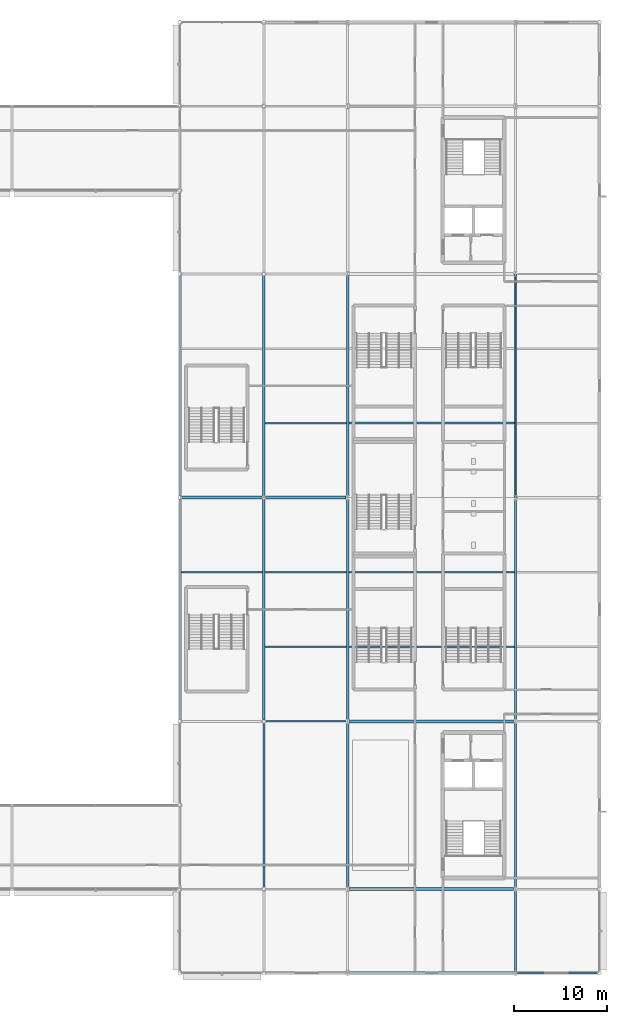
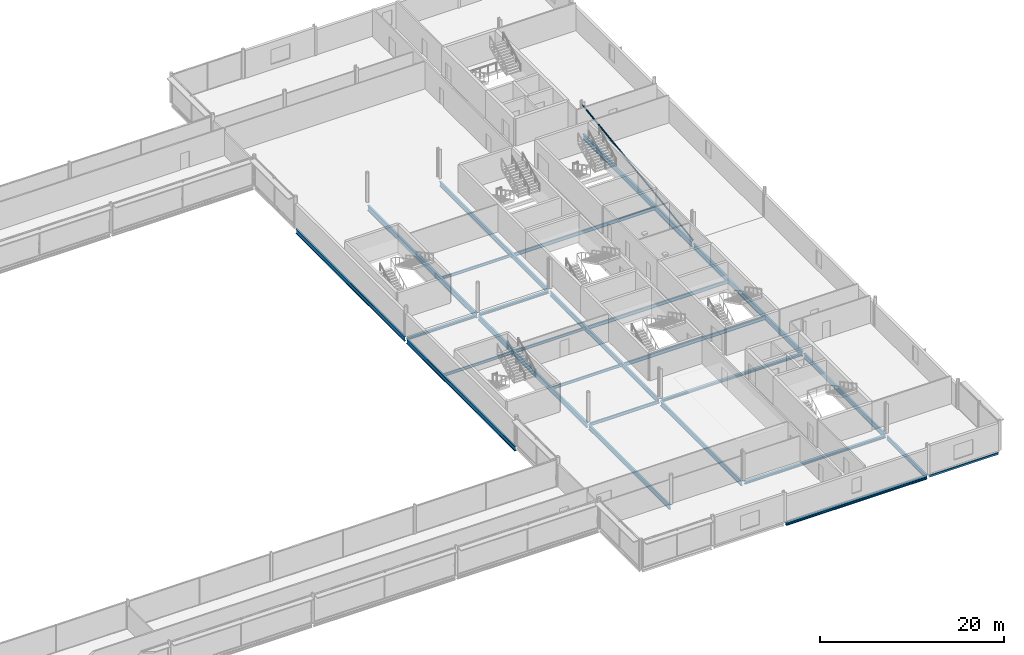
# One storey, part 43 of 96: 26 beams, 1 member.
"""IFC4 building model written with IfcOpenShell, lengths in metres."""

from ifc_helpers import new_model, si_unit, direction, frame, origin, origin_2d, place, context, subcontext, project, spatial, hollow_rectangle, hollow_circle, i_section, extrude, material, material_profile, profile_set, type_object, element, save


model = new_model("IFC4")

# Units and contexts
model_context = context("Model", 3, precision=1e-05, world=origin(), true_north=direction((0.0, 1.0)))
body_context = subcontext(model_context, "Body", "Model", "MODEL_VIEW")
ifc_project = project(units=[si_unit("LENGTHUNIT", "METRE"), si_unit("AREAUNIT", "SQUARE_METRE"), si_unit("VOLUMEUNIT", "CUBIC_METRE"), si_unit("PLANEANGLEUNIT", "RADIAN"), si_unit("MASSUNIT", "GRAM", prefix="KILO")], contexts=[model_context])

# Site, building, storey
site_placement = place(None, origin())
site = spatial("IfcSite", under=ifc_project, at=site_placement, CompositionType="ELEMENT")
building_placement = place(site_placement, origin())
building = spatial("IfcBuilding", under=site, at=building_placement, Name="Kisiwana Market Hall", CompositionType="ELEMENT")
storey_placement = place(building_placement, frame((0.0, 0.0, 25.5)))
storey = spatial("IfcBuildingStorey", under=building, at=storey_placement, Name="L05", CompositionType="ELEMENT", Elevation=25.5)

# Beams
ifc_material_1 = material(Name="Steel S355", Category="steel")
ifc_material_profile_1 = material_profile(ifc_material_1, i_section(OverallWidth=0.209228515625, OverallDepth=0.533203125, WebThickness=0.010009765625, FlangeThickness=0.015625, at=origin_2d()), Name="UB 533x210x92")
ifc_profile_set_1 = profile_set([ifc_material_profile_1], Name="Steel S355")
beam_type_1 = type_object("IfcBeamType", Name="BM-GIRD-UB533", PredefinedType="BEAM", material=ifc_profile_set_1)
beam_1_placement = place(storey_placement, frame((189.0, 9.1865234375, -0.58154296875), z_axis=(0.0, 1.0, 0.0), x_axis=(-1.0, 0.0, 0.0)))
element("IfcBeam", 1, at=beam_1_placement, inside=storey, type_object=beam_type_1, Name="Primary girder B-1561", PredefinedType="BEAM", context=body_context, shape_type="SweptSolid", body=[
    extrude(i_section(OverallWidth=0.209228515625, OverallDepth=0.533203125, WebThickness=0.010009765625, FlangeThickness=0.015625, at=origin_2d()), origin(), (0.0, 0.0, 1.0), 8.626953125),
])
ifc_material_2 = material(Name="Steel S355", Category="steel")
ifc_material_profile_2 = material_profile(ifc_material_2, i_section(OverallWidth=0.22900390625, OverallDepth=0.6123046875, WebThickness=0.011962890625, FlangeThickness=0.01953125, at=origin_2d()), Name="UB 610x229x125")
ifc_profile_set_2 = profile_set([ifc_material_profile_2], Name="Steel S355")
beam_type_2 = type_object("IfcBeamType", Name="BM-GIRD-UB610H", PredefinedType="BEAM", material=ifc_profile_set_2)
for number, where, z_axis, x_axis, name in (
    (2, (153.0, 36.18017578125, -0.62109375), (0.0, 1.0, 0.0), (-1.0, 0.0, 0.0), "Floor beam B-1685"),
    (3, (153.0, 60.18017578125, -0.62109375), (0.0, 1.0, 0.0), (-1.0, 0.0, 0.0), "Floor beam B-1686"),
):
    element("IfcBeam", number, at=place(storey_placement, frame(where, z_axis=z_axis, x_axis=x_axis)), inside=storey, type_object=beam_type_2, Name=name, PredefinedType="BEAM", context=body_context, shape_type="SweptSolid", body=[
        extrude(i_section(OverallWidth=0.22900390625, OverallDepth=0.6123046875, WebThickness=0.011962890625, FlangeThickness=0.01953125, at=origin_2d()), origin(), (0.0, 0.0, 1.0), 23.6396484375),
    ])
for number, where, z_axis, x_axis, name in (
    (4, (171.0, 36.1865234375, -0.62109375), (0.0, 1.0, 0.0), (-1.0, 0.0, 0.0), "Floor beam B-1689"),
    (5, (171.0, 60.1865234375, -0.62109375), (0.0, 1.0, 0.0), (-1.0, 0.0, 0.0), "Floor beam B-1690"),
):
    element("IfcBeam", number, at=place(storey_placement, frame(where, z_axis=z_axis, x_axis=x_axis)), inside=storey, type_object=beam_type_2, Name=name, PredefinedType="BEAM", context=body_context, shape_type="SweptSolid", body=[
        extrude(i_section(OverallWidth=0.22900390625, OverallDepth=0.6123046875, WebThickness=0.011962890625, FlangeThickness=0.01953125, at=origin_2d()), origin(), (0.0, 0.0, 1.0), 23.626953125),
    ])
beam_2_placement = place(storey_placement, frame((162.0, 18.18017578125, -0.62109375), z_axis=(0.0, 1.0, 0.0), x_axis=(-1.0, 0.0, 0.0)))
element("IfcBeam", 6, at=beam_2_placement, inside=storey, type_object=beam_type_2, Name="Primary girder B-1552", PredefinedType="BEAM", context=body_context, shape_type="SweptSolid", body=[
    extrude(i_section(OverallWidth=0.22900390625, OverallDepth=0.6123046875, WebThickness=0.011962890625, FlangeThickness=0.01953125, at=origin_2d()), origin(), (0.0, 0.0, 1.0), 17.6396484375),
])
for number, where, z_axis, x_axis, name in (
    (7, (171.0, 18.1865234375, -0.62109375), (0.0, 1.0, 0.0), (-1.0, 0.0, 0.0), "Primary girder B-1558"),
    (8, (189.0, 18.1865234375, -0.62109375), (0.0, 1.0, 0.0), (-1.0, 0.0, 0.0), "Primary girder B-1562"),
):
    element("IfcBeam", number, at=place(storey_placement, frame(where, z_axis=z_axis, x_axis=x_axis)), inside=storey, type_object=beam_type_2, Name=name, PredefinedType="BEAM", context=body_context, shape_type="SweptSolid", body=[
        extrude(i_section(OverallWidth=0.22900390625, OverallDepth=0.6123046875, WebThickness=0.011962890625, FlangeThickness=0.01953125, at=origin_2d()), origin(), (0.0, 0.0, 1.0), 17.626953125),
    ])
ifc_material_3 = material(Name="Steel S355", Category="steel")
ifc_material_profile_3 = material_profile(ifc_material_3, i_section(OverallWidth=0.253662109375, OverallDepth=0.68359375, WebThickness=0.012451171875, FlangeThickness=0.01904296875, at=origin_2d()), Name="UB 686x254x140")
ifc_profile_set_3 = profile_set([ifc_material_profile_3], Name="Steel S355")
beam_type_3 = type_object("IfcBeamType", Name="BM-GIRD-UB686", PredefinedType="BEAM", material=ifc_profile_set_3)
for number, where, z_axis, x_axis, name in (
    (9, (162.0, 36.18017578125, -0.65673828125), (0.0, 1.0, 0.0), (-1.0, 0.0, 0.0), "Primary girder B-1553"),
    (10, (162.0, 60.18017578125, -0.65673828125), (0.0, 1.0, 0.0), (-1.0, 0.0, 0.0), "Primary girder B-1554"),
):
    element("IfcBeam", number, at=place(storey_placement, frame(where, z_axis=z_axis, x_axis=x_axis)), inside=storey, type_object=beam_type_3, Name=name, PredefinedType="BEAM", context=body_context, shape_type="SweptSolid", body=[
        extrude(i_section(OverallWidth=0.253662109375, OverallDepth=0.68359375, WebThickness=0.012451171875, FlangeThickness=0.01904296875, at=origin_2d()), origin(), (0.0, 0.0, 1.0), 23.6396484375),
    ])
for number, where, z_axis, x_axis, name in (
    (11, (189.0, 36.1865234375, -0.65673828125), (0.0, 1.0, 0.0), (-1.0, 0.0, 0.0), "Primary girder B-1563"),
    (12, (189.0, 60.1865234375, -0.65673828125), (0.0, 1.0, 0.0), (-1.0, 0.0, 0.0), "Primary girder B-1564"),
):
    element("IfcBeam", number, at=place(storey_placement, frame(where, z_axis=z_axis, x_axis=x_axis)), inside=storey, type_object=beam_type_3, Name=name, PredefinedType="BEAM", context=body_context, shape_type="SweptSolid", body=[
        extrude(i_section(OverallWidth=0.253662109375, OverallDepth=0.68359375, WebThickness=0.012451171875, FlangeThickness=0.01904296875, at=origin_2d()), origin(), (0.0, 0.0, 1.0), 23.626953125),
    ])
ifc_material_4 = material(Name="Steel S355", Category="steel")
ifc_material_profile_4 = material_profile(ifc_material_4, i_section(OverallWidth=0.17138671875, OverallDepth=0.35498046875, WebThickness=0.00732421875, FlangeThickness=0.011474609375, at=origin_2d()), Name="UB 356x171x51")
ifc_profile_set_4 = profile_set([ifc_material_profile_4], Name="Steel S355")
beam_type_4 = type_object("IfcBeamType", Name="BM-JOIST-UB356", PredefinedType="JOIST", material=ifc_profile_set_4)
for number, where, z_axis, x_axis, name in (
    (13, (162.125732421875, 44.0, -0.492431640625), (1.0, 0.0, 0.0), (0.0, 1.0, 0.0), "Secondary floor joist B-1570"),
    (14, (153.113525390625, 52.0, -0.492431640625), (1.0, 0.0, 0.0), (0.0, 1.0, 0.0), "Secondary floor joist B-1577"),
    (15, (162.125732421875, 52.0, -0.492431640625), (1.0, 0.0, 0.0), (0.0, 1.0, 0.0), "Secondary floor joist B-1578"),
    (16, (162.125732421875, 68.0, -0.492431640625), (1.0, 0.0, 0.0), (0.0, 1.0, 0.0), "Secondary floor joist B-1584"),
):
    element("IfcBeam", number, at=place(storey_placement, frame(where, z_axis=z_axis, x_axis=x_axis)), inside=storey, type_object=beam_type_4, Name=name, PredefinedType="JOIST", context=body_context, shape_type="SweptSolid", body=[
        extrude(i_section(OverallWidth=0.17138671875, OverallDepth=0.35498046875, WebThickness=0.00732421875, FlangeThickness=0.011474609375, at=origin_2d()), origin(), (0.0, 0.0, 1.0), 8.7607421875),
    ])
ifc_material_5 = material(Name="Steel S355", Category="steel")
ifc_material_profile_5 = material_profile(ifc_material_5, i_section(OverallWidth=0.1787109375, OverallDepth=0.409423828125, WebThickness=0.0087890625, FlangeThickness=0.014404296875, at=origin_2d()), Name="UB 406x178x67")
ifc_profile_set_5 = profile_set([ifc_material_profile_5], Name="Steel S355")
beam_type_5 = type_object("IfcBeamType", Name="BM-JOIST-UB406H", PredefinedType="JOIST", material=ifc_profile_set_5)
beam_3_placement = place(storey_placement, frame((162.182373046875, 36.0, -0.519775390625), z_axis=(1.0, 0.0, 0.0), x_axis=(0.0, 1.0, 0.0)))
element("IfcBeam", 17, at=beam_3_placement, inside=storey, type_object=beam_type_5, Name="Floor beam B-1628", PredefinedType="JOIST", context=body_context, shape_type="SweptSolid", body=[
    extrude(i_section(OverallWidth=0.1787109375, OverallDepth=0.409423828125, WebThickness=0.0087890625, FlangeThickness=0.014404296875, at=origin_2d()), origin(), (0.0, 0.0, 1.0), 8.624267578125),
])
ifc_material_6 = material(Name="Steel S355", Category="steel")
ifc_material_profile_6 = material_profile(ifc_material_6, i_section(OverallWidth=0.18994140625, OverallDepth=0.453369140625, WebThickness=0.008544921875, FlangeThickness=0.0126953125, at=origin_2d()), Name="UB 457x191x67")
ifc_profile_set_6 = profile_set([ifc_material_profile_6], Name="Steel S355")
beam_type_6 = type_object("IfcBeamType", Name="BM-JOIST-UB457", PredefinedType="JOIST", material=ifc_profile_set_6)
for number, where, z_axis, x_axis, name in (
    (18, (171.113525390625, 44.0, -0.541748046875), (1.0, 0.0, 0.0), (0.0, 1.0, 0.0), "Secondary floor joist B-1571"),
    (19, (171.113525390625, 52.0, -0.541748046875), (1.0, 0.0, 0.0), (0.0, 1.0, 0.0), "Secondary floor joist B-1579"),
    (20, (171.113525390625, 68.0, -0.541748046875), (1.0, 0.0, 0.0), (0.0, 1.0, 0.0), "Secondary floor joist B-1585"),
):
    element("IfcBeam", number, at=place(storey_placement, frame(where, z_axis=z_axis, x_axis=x_axis)), inside=storey, type_object=beam_type_6, Name=name, PredefinedType="JOIST", context=body_context, shape_type="SweptSolid", body=[
        extrude(i_section(OverallWidth=0.18994140625, OverallDepth=0.453369140625, WebThickness=0.008544921875, FlangeThickness=0.0126953125, at=origin_2d()), origin(), (0.0, 0.0, 1.0), 17.7607421875),
    ])
ifc_material_7 = material(Name="Steel S355", Category="steel")
ifc_material_profile_7 = material_profile(ifc_material_7, i_section(OverallWidth=0.314453125, OverallDepth=0.33984375, WebThickness=0.01904296875, FlangeThickness=0.031494140625, at=origin_2d()), Name="UC 305x305x198")
ifc_profile_set_7 = profile_set([ifc_material_profile_7], Name="Steel S355")
beam_type_7 = type_object("IfcBeamType", Name="BM-SKYBR-CHORD", PredefinedType="BEAM", material=ifc_profile_set_7)
for number, where, z_axis, x_axis, name in (
    (21, (171.193359375, 9.0, -0.48486328125), (1.0, 0.0, 0.0), (0.0, 1.0, 0.0), "Floor beam B-1601"),
    (22, (171.193359375, 18.0, -0.48486328125), (1.0, 0.0, 0.0), (0.0, 1.0, 0.0), "Floor beam B-1615"),
    (23, (171.193359375, 36.0, -0.48486328125), (1.0, 0.0, 0.0), (0.0, 1.0, 0.0), "Floor beam B-1629"),
):
    element("IfcBeam", number, at=place(storey_placement, frame(where, z_axis=z_axis, x_axis=x_axis)), inside=storey, type_object=beam_type_7, Name=name, PredefinedType="BEAM", context=body_context, shape_type="SweptSolid", body=[
        extrude(i_section(OverallWidth=0.314453125, OverallDepth=0.33984375, WebThickness=0.01904296875, FlangeThickness=0.031494140625, at=origin_2d()), origin(), (0.0, 0.0, 1.0), 17.61328125),
    ])
beam_4_placement = place(storey_placement, frame((153.182373046875, 60.0, -0.48486328125), z_axis=(1.0, 0.0, 0.0), x_axis=(0.0, 1.0, 0.0)))
element("IfcBeam", 24, at=beam_4_placement, inside=storey, type_object=beam_type_7, Name="Floor beam B-1632", PredefinedType="BEAM", context=body_context, shape_type="SweptSolid", body=[
    extrude(i_section(OverallWidth=0.314453125, OverallDepth=0.33984375, WebThickness=0.01904296875, FlangeThickness=0.031494140625, at=origin_2d()), origin(), (0.0, 0.0, 1.0), 8.63525390625),
])
beam_5_placement = place(storey_placement, frame((162.182373046875, 60.0, -0.48486328125), z_axis=(1.0, 0.0, 0.0), x_axis=(0.0, 1.0, 0.0)))
element("IfcBeam", 25, at=beam_5_placement, inside=storey, type_object=beam_type_7, Name="Floor beam B-1518", PredefinedType="BEAM", context=body_context, shape_type="SweptSolid", body=[
    extrude(i_section(OverallWidth=0.314453125, OverallDepth=0.33984375, WebThickness=0.01904296875, FlangeThickness=0.031494140625, at=origin_2d()), origin(), (0.0, 0.0, 1.0), 8.624267578125),
])
ifc_material_8 = material(Name="Steel S355", Category="steel")
ifc_material_profile_8 = material_profile(ifc_material_8, hollow_rectangle(XDim=0.14990234375, YDim=0.25, WallThickness=0.010009765625, at=origin_2d()), Name="RHS 250x150x10.0")
ifc_profile_set_8 = profile_set([ifc_material_profile_8], Name="Steel S355")
beam_type_8 = type_object("IfcBeamType", Name="BM-SPAN-RHS250", PredefinedType="SPANDREL", material=ifc_profile_set_8)
beam_6_placement = place(storey_placement, frame((189.193359375, 9.0, -0.43994140625), z_axis=(1.0, 0.0, 0.0), x_axis=(0.0, 1.0, 0.0)))
element("IfcBeam", 26, at=beam_6_placement, inside=storey, type_object=beam_type_8, Name="Floor beam B-1602", PredefinedType="SPANDREL", context=body_context, shape_type="SweptSolid", body=[
    extrude(hollow_rectangle(XDim=0.14990234375, YDim=0.25, WallThickness=0.010009765625, at=origin_2d()), origin(), (0.0, 0.0, 1.0), 8.624267578125),
])

# Member
ifc_material_9 = material(Name="Steel S355", Category="steel")
ifc_material_profile_9 = material_profile(ifc_material_9, hollow_circle(Radius=0.096923828125, WallThickness=0.010009765625, at=origin_2d()), Name="CHS 193.7x10")
ifc_profile_set_9 = profile_set([ifc_material_profile_9], Name="Steel S355")
member_type = type_object("IfcMemberType", Name="MB-CBF-CHS193", PredefinedType="BRACE", material=ifc_profile_set_9)
member_placement = place(storey_placement, frame((189.0, 60.0, 0.0), z_axis=(0.0, 0.990370167022, 0.1384446903), x_axis=(-1.0, 0.0, 0.0)))
element("IfcMember", 27, at=member_placement, inside=storey, type_object=member_type, Name="CBF-E-S diagonal brace (L05) M-0030", PredefinedType="BRACE", context=body_context, shape_type="SweptSolid", body=[
    extrude(hollow_circle(Radius=0.096923828125, WallThickness=0.010009765625, at=origin_2d()), origin(), (0.0, 0.0, 1.0), 24.2333984375),
])

save(model, "model.ifc")
